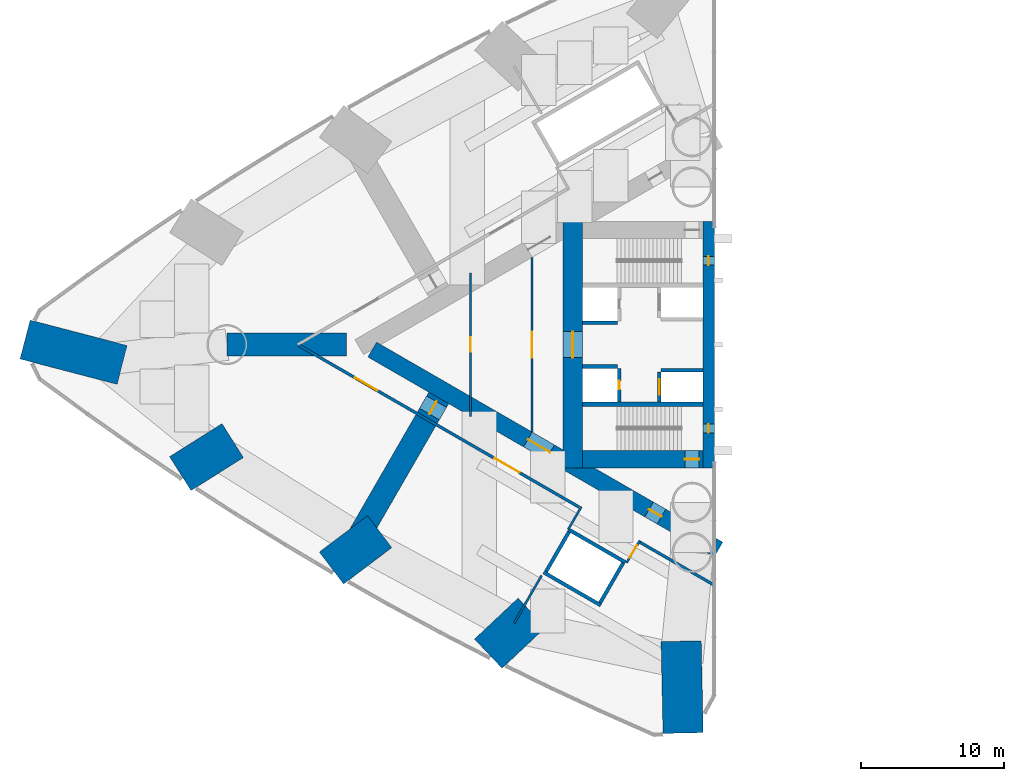
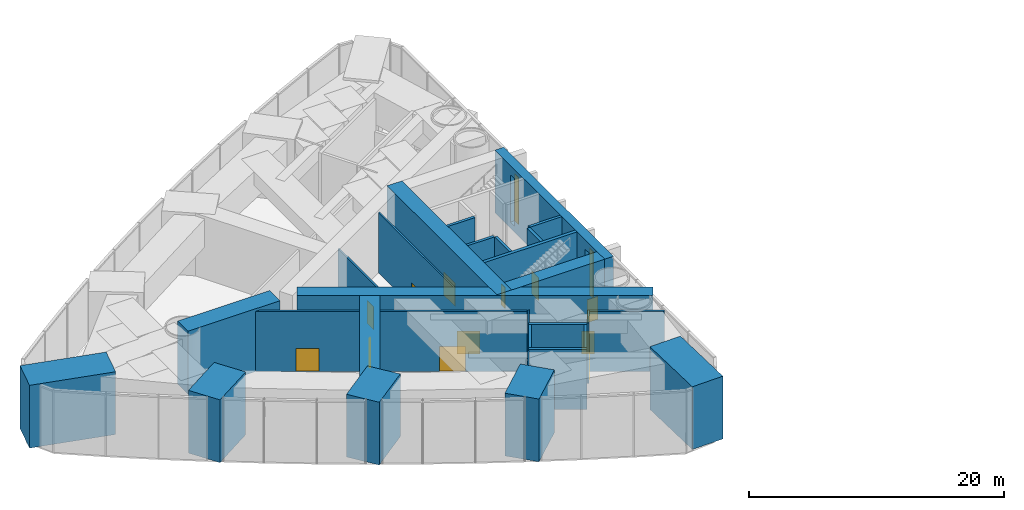
# One storey, part 13 of 18: 28 walls, 12 doors, 2 windows, 14 openings.
"""IFC4 building model written with IfcOpenShell, lengths in metres."""

from ifc_helpers import new_model, si_unit, direction, frame, frame_2d, origin, place, context, subcontext, project, spatial, rectangle, extrude, material, layer, layer_set, type_object, element, fill, save


model = new_model("IFC4")

# Units and contexts
model_context = context("Model", 3, precision=1e-05, world=origin(), true_north=direction((0.0, 1.0)))
body_context = subcontext(model_context, "Body", "Model", "MODEL_VIEW")
ifc_project = project(units=[si_unit("LENGTHUNIT", "METRE"), si_unit("AREAUNIT", "SQUARE_METRE"), si_unit("VOLUMEUNIT", "CUBIC_METRE"), si_unit("PLANEANGLEUNIT", "RADIAN"), si_unit("MASSUNIT", "GRAM", prefix="KILO")], contexts=[model_context])

# Site, building, storey
site_placement = place(None, origin())
site = spatial("IfcSite", under=ifc_project, at=site_placement, CompositionType="ELEMENT")
building_placement = place(site_placement, origin())
building = spatial("IfcBuilding", under=site, at=building_placement, Name="Lancet Gate Hotel", CompositionType="ELEMENT")
storey_placement = place(building_placement, frame((0.0, 0.0, 81.0)))
storey = spatial("IfcBuildingStorey", under=building, at=storey_placement, Name="L21", CompositionType="ELEMENT", Elevation=81.0)

# Wall, openings, doors
ifc_material_1 = material(Name="Concrete C70/85", Category="concrete")
ifc_layer_1 = layer(ifc_material_1, 1.199951171875)
ifc_layer_set_1 = layer_set([ifc_layer_1], Name="Buttress wall 1200")
wall_type_1 = type_object("IfcWallType", Name="Buttress wall 1200", PredefinedType="SHEAR", material=ifc_layer_set_1)
wall_1_placement = place(storey_placement, frame((-27.199951171875, -14.300048828125, 0.0), z_axis=(0.0, 0.0, 1.0), x_axis=(-0.866024021859, 0.500002393557, 0.0)))
wall_1 = element("IfcWall", 1, at=wall_1_placement, inside=storey, type_object=wall_type_1, Name="T1 buttress wall N L21", PredefinedType="SHEAR", context=body_context, shape_type="SweptSolid", body=[
    extrude(rectangle(XDim=27.906982421875, YDim=1.199951171875, at=frame_2d((13.95361328125, 0.0))), origin(), (0.0, 0.0, 1.0), 6.0),
])
opening_1_placement = place(wall_1_placement, frame((4.60009765625, 0.0, 0.0)))
opening_1 = element("IfcOpeningElement", 2, at=opening_1_placement, cuts=wall_1, Name="Opening T1-L21-LN", PredefinedType="OPENING", context=body_context, shape_type="SweptSolid", body=[
    extrude(rectangle(XDim=1.0, YDim=2.199951171875, at=frame_2d((0.5, 1.10009765625))), frame((0.0, 0.60986328125, 0.0), z_axis=(0.0, -1.0, 0.0), x_axis=(1.0, 0.0, 0.0)), (0.0, 0.0, 1.0), 1.219970703125),
])
opening_2_placement = place(wall_1_placement, frame((13.567626953125, 0.0, 0.0)))
opening_2 = element("IfcOpeningElement", 3, at=opening_2_placement, cuts=wall_1, Name="Opening T1-L21-LHN", PredefinedType="OPENING", context=body_context, shape_type="SweptSolid", body=[
    extrude(rectangle(XDim=1.800048828125, YDim=2.199951171875, at=frame_2d((0.89990234375, 1.10009765625))), frame((0.0, 0.60986328125, 0.0), z_axis=(0.0, -1.0, 0.0), x_axis=(1.0, 0.0, 0.0)), (0.0, 0.0, 1.0), 1.219970703125),
])
ifc_material_2 = material(Name="Timber door set", Category="wood")
door_type_1 = type_object("IfcDoorType", Name="Lobby double door 1800", OperationType="DOUBLE_DOOR_SINGLE_SWING", PredefinedType="DOOR", material=ifc_material_2)
door_1_placement = place(opening_2_placement, origin())
door_1 = element("IfcDoor", 4, at=door_1_placement, inside=storey, type_object=door_type_1, Name="T1-L21-LHN", OperationType="DOUBLE_DOOR_SINGLE_SWING", OverallHeight=2.199951171875, OverallWidth=1.800048828125, PredefinedType="DOOR", context=body_context, shape_type="SweptSolid", body=[
    extrude(rectangle(XDim=1.800048828125, YDim=2.199951171875, at=frame_2d((0.89990234375, 1.10009765625))), frame((0.0, 0.02490234375, 0.0), z_axis=(0.0, -1.0, 0.0), x_axis=(1.0, 0.0, 0.0)), (0.0, 0.0, 1.0), 0.050048828125),
])
fill(opening_2, door_1)
ifc_material_3 = material(Name="Timber door set", Category="wood")
door_type_2 = type_object("IfcDoorType", Name="Stair lobby door 1000", OperationType="SINGLE_SWING_LEFT", PredefinedType="DOOR", material=ifc_material_3)
door_2_placement = place(opening_1_placement, origin())
door_2 = element("IfcDoor", 5, at=door_2_placement, inside=storey, type_object=door_type_2, Name="T1-L21-LN", OperationType="SINGLE_SWING_LEFT", OverallHeight=2.199951171875, OverallWidth=1.0, PredefinedType="DOOR", context=body_context, shape_type="SweptSolid", body=[
    extrude(rectangle(XDim=1.0, YDim=2.199951171875, at=frame_2d((0.5, 1.10009765625))), frame((0.0, 0.02490234375, 0.0), z_axis=(0.0, -1.0, 0.0), x_axis=(1.0, 0.0, 0.0)), (0.0, 0.0, 1.0), 0.050048828125),
])
fill(opening_1, door_2)

# Wall, opening, door
ifc_material_4 = material(Name="Concrete C70/85", Category="concrete")
ifc_layer_2 = layer(ifc_material_4, 1.35009765625)
ifc_layer_set_2 = layer_set([ifc_layer_2], Name="Core back wall 1350, outrigger storeys")
wall_type_2 = type_object("IfcWallType", Name="Core back wall 1350, outrigger storeys", PredefinedType="SHEAR", material=ifc_layer_set_2)
wall_2_placement = place(storey_placement, frame((-37.375, 8.60009765625, 0.0), z_axis=(0.0, 0.0, 1.0), x_axis=(0.0, -1.0, 0.0)))
wall_2 = element("IfcWall", 6, at=wall_2_placement, inside=storey, type_object=wall_type_2, Name="T1 core wall back L21", PredefinedType="SHEAR", context=body_context, shape_type="SweptSolid", body=[
    extrude(rectangle(XDim=17.2001953125, YDim=1.35009765625, at=frame_2d((8.60009765625, 0.0))), origin(), (0.0, 0.0, 1.0), 6.0),
])
opening_3_placement = place(wall_2_placement, frame((7.699951171875, 0.0, 0.0)))
opening_3 = element("IfcOpeningElement", 7, at=opening_3_placement, cuts=wall_2, Name="Opening T1-L21-LL", PredefinedType="OPENING", context=body_context, shape_type="SweptSolid", body=[
    extrude(rectangle(XDim=1.800048828125, YDim=2.199951171875, at=frame_2d((0.89990234375, 1.10009765625))), frame((0.0, 0.68505859375, 0.0), z_axis=(0.0, -1.0, 0.0), x_axis=(1.0, 0.0, 0.0)), (0.0, 0.0, 1.0), 1.3701171875),
])
door_3_placement = place(opening_3_placement, origin())
door_3 = element("IfcDoor", 8, at=door_3_placement, inside=storey, type_object=door_type_1, Name="T1-L21-LL", OperationType="DOUBLE_DOOR_SINGLE_SWING", OverallHeight=2.199951171875, OverallWidth=1.800048828125, PredefinedType="DOOR", context=body_context, shape_type="SweptSolid", body=[
    extrude(rectangle(XDim=1.800048828125, YDim=2.199951171875, at=frame_2d((0.89990234375, 1.10009765625))), frame((0.0, 0.02490234375, 0.0), z_axis=(0.0, -1.0, 0.0), x_axis=(1.0, 0.0, 0.0)), (0.0, 0.0, 1.0), 0.050048828125),
])
fill(opening_3, door_3)

ifc_material_5 = material(Name="Concrete C70/85", Category="concrete")
ifc_layer_3 = layer(ifc_material_5, 1.199951171875)
ifc_layer_set_3 = layer_set([ifc_layer_3], Name="Core wall 1200")
wall_type_3 = type_object("IfcWallType", Name="Core wall 1200", PredefinedType="SHEAR", material=ifc_layer_set_3)
wall_3_placement = place(storey_placement, frame((-28.300048828125, -8.0, 0.0), z_axis=(0.0, 0.0, 1.0), x_axis=(-1.0, 0.0, 0.0)))
wall_3 = element("IfcWall", 9, at=wall_3_placement, inside=storey, type_object=wall_type_3, Name="T1 core wall side-N L21", PredefinedType="SHEAR", context=body_context, shape_type="SweptSolid", body=[
    extrude(rectangle(XDim=8.39990234375, YDim=1.199951171875, at=frame_2d((4.199951171875, 0.0))), origin(), (0.0, 0.0, 1.0), 6.0),
])
opening_4_placement = place(wall_3_placement, frame((0.25, 0.0, 0.0)))
opening_4 = element("IfcOpeningElement", 10, at=opening_4_placement, cuts=wall_3, Name="Opening T1-L21-ST2", PredefinedType="OPENING", context=body_context, shape_type="SweptSolid", body=[
    extrude(rectangle(XDim=1.0, YDim=2.199951171875, at=frame_2d((0.5, 1.10009765625))), frame((0.0, 0.60986328125, 0.0), z_axis=(0.0, -1.0, 0.0), x_axis=(1.0, 0.0, 0.0)), (0.0, 0.0, 1.0), 1.219970703125),
])
ifc_material_6 = material(Name="Timber door set", Category="wood")
door_type_3 = type_object("IfcDoorType", Name="Stair door 1000", OperationType="SINGLE_SWING_RIGHT", PredefinedType="DOOR", material=ifc_material_6)
door_4_placement = place(opening_4_placement, origin())
door_4 = element("IfcDoor", 11, at=door_4_placement, inside=storey, type_object=door_type_3, Name="T1-L21-ST2", OperationType="SINGLE_SWING_RIGHT", OverallHeight=2.199951171875, OverallWidth=1.0, PredefinedType="DOOR", context=body_context, shape_type="SweptSolid", body=[
    extrude(rectangle(XDim=1.0, YDim=2.199951171875, at=frame_2d((0.5, 1.10009765625))), frame((0.0, 0.02490234375, 0.0), z_axis=(0.0, -1.0, 0.0), x_axis=(1.0, 0.0, 0.0)), (0.0, 0.0, 1.0), 0.050048828125),
])
fill(opening_4, door_4)

# Wall, openings, windows
ifc_material_7 = material(Name="Concrete C70/85", Category="concrete")
ifc_layer_4 = layer(ifc_material_7, 0.800048828125)
ifc_layer_set_4 = layer_set([ifc_layer_4], Name="Core wall 800")
wall_type_4 = type_object("IfcWallType", Name="Core wall 800", PredefinedType="SHEAR", material=ifc_layer_set_4)
wall_4_placement = place(storey_placement, frame((-27.89990234375, 8.60009765625, 0.0), z_axis=(0.0, 0.0, 1.0), x_axis=(0.0, -1.0, 0.0)))
wall_4 = element("IfcWall", 12, at=wall_4_placement, inside=storey, type_object=wall_type_4, Name="T1 core wall front L21", PredefinedType="SHEAR", context=body_context, shape_type="SweptSolid", body=[
    extrude(rectangle(XDim=17.2001953125, YDim=0.800048828125, at=frame_2d((8.60009765625, 0.0))), origin(), (0.0, 0.0, 1.0), 6.0),
])
opening_5_placement = place(wall_4_placement, frame((2.449951171875, 0.0, 0.60009765625)))
opening_5 = element("IfcOpeningElement", 13, at=opening_5_placement, cuts=wall_4, Name="Opening LW3", PredefinedType="OPENING", context=body_context, shape_type="SweptSolid", body=[
    extrude(rectangle(XDim=0.60009765625, YDim=4.5, at=frame_2d((0.300048828125, 2.25))), frame((0.0, 0.409912109375, 0.0), z_axis=(0.0, -1.0, 0.0), x_axis=(1.0, 0.0, 0.0)), (0.0, 0.0, 1.0), 0.820068359375),
])
opening_6_placement = place(wall_4_placement, frame((14.14990234375, 0.0, 0.60009765625)))
opening_6 = element("IfcOpeningElement", 14, at=opening_6_placement, cuts=wall_4, Name="Opening LW3", PredefinedType="OPENING", context=body_context, shape_type="SweptSolid", body=[
    extrude(rectangle(XDim=0.60009765625, YDim=4.5, at=frame_2d((0.300048828125, 2.25))), frame((0.0, 0.409912109375, 0.0), z_axis=(0.0, -1.0, 0.0), x_axis=(1.0, 0.0, 0.0)), (0.0, 0.0, 1.0), 0.820068359375),
])
ifc_material_8 = material(Name="Fire-resisting glazed steel window", Category="steel")
window_type = type_object("IfcWindowType", Name="Lancet window 600x4500", PartitioningType="SINGLE_PANEL", PredefinedType="WINDOW", material=ifc_material_8)
window_1_placement = place(opening_5_placement, origin())
window_1 = element("IfcWindow", 15, at=window_1_placement, inside=storey, type_object=window_type, Name="T1 stair window S L21", OverallHeight=4.5, OverallWidth=0.60009765625, PartitioningType="SINGLE_PANEL", PredefinedType="WINDOW", context=body_context, shape_type="SweptSolid", body=[
    extrude(rectangle(XDim=0.60009765625, YDim=4.5, at=frame_2d((0.300048828125, 2.25))), frame((0.0, 0.030029296875, 0.0), z_axis=(0.0, -1.0, 0.0), x_axis=(1.0, 0.0, 0.0)), (0.0, 0.0, 1.0), 0.06005859375),
])
fill(opening_5, window_1)
window_2_placement = place(opening_6_placement, origin())
window_2 = element("IfcWindow", 16, at=window_2_placement, inside=storey, type_object=window_type, Name="T1 stair window N L21", OverallHeight=4.5, OverallWidth=0.60009765625, PartitioningType="SINGLE_PANEL", PredefinedType="WINDOW", context=body_context, shape_type="SweptSolid", body=[
    extrude(rectangle(XDim=0.60009765625, YDim=4.5, at=frame_2d((0.300048828125, 2.25))), frame((0.0, 0.030029296875, 0.0), z_axis=(0.0, -1.0, 0.0), x_axis=(1.0, 0.0, 0.0)), (0.0, 0.0, 1.0), 0.06005859375),
])
fill(opening_6, window_2)

# Wall
ifc_material_9 = material(Name="Gypsum board partition")
ifc_layer_5 = layer(ifc_material_9, 0.199951171875)
ifc_layer_set_5 = layer_set([ifc_layer_5], Name="Corridor wall 200")
wall_type_5 = type_object("IfcWallType", Name="Corridor wall 200", PredefinedType="PARTITIONING", material=ifc_layer_set_5)
wall_5_placement = place(storey_placement, frame((-27.572021484375, -16.740966796875, 0.0), z_axis=(0.0, 0.0, 1.0), x_axis=(-0.866024464444, 0.500001626982, 0.0)))
element("IfcWall", 17, at=wall_5_placement, inside=storey, type_object=wall_type_5, Name="T1 corridor wall 200 L21", PredefinedType="PARTITIONING", context=body_context, shape_type="SweptSolid", body=[
    extrude(rectangle(XDim=5.955078125, YDim=0.199951171875, at=frame_2d((2.9775390625, 0.0))), origin(), (0.0, 0.0, 1.0), 5.75),
])

# Wall, openings, doors
wall_6_placement = place(storey_placement, frame((-36.920166015625, -11.34375, 0.0), z_axis=(0.0, 0.0, 1.0), x_axis=(-0.866028313256, 0.499994960614, 0.0)))
wall_6 = element("IfcWall", 18, at=wall_6_placement, inside=storey, type_object=wall_type_5, Name="T1 corridor wall 200 L21", PredefinedType="PARTITIONING", context=body_context, shape_type="SweptSolid", body=[
    extrude(rectangle(XDim=22.567626953125, YDim=0.199951171875, at=frame_2d((11.28369140625, 0.0))), origin(), (0.0, 0.0, 1.0), 5.75),
])
opening_7_placement = place(wall_6_placement, frame((16.26953125, 0.0, 0.0)))
opening_7 = element("IfcOpeningElement", 19, at=opening_7_placement, cuts=wall_6, Name="Opening T1-L21-RA06", PredefinedType="OPENING", context=body_context, shape_type="SweptSolid", body=[
    extrude(rectangle(XDim=1.800048828125, YDim=2.199951171875, at=frame_2d((0.89990234375, 1.10009765625))), frame((0.0, 0.10986328125, 0.0), z_axis=(0.0, -1.0, 0.0), x_axis=(1.0, 0.0, 0.0)), (0.0, 0.0, 1.0), 0.219970703125),
])
opening_8_placement = place(wall_6_placement, frame((4.826416015625, 0.0, 0.0)))
opening_8 = element("IfcOpeningElement", 20, at=opening_8_placement, cuts=wall_6, Name="Opening T1-L21-RA07", PredefinedType="OPENING", context=body_context, shape_type="SweptSolid", body=[
    extrude(rectangle(XDim=2.0, YDim=2.39990234375, at=frame_2d((1.0, 1.199951171875))), frame((0.0, 0.10986328125, 0.0), z_axis=(0.0, -1.0, 0.0), x_axis=(1.0, 0.0, 0.0)), (0.0, 0.0, 1.0), 0.219970703125),
])
ifc_material_10 = material(Name="Timber door set", Category="wood")
door_type_4 = type_object("IfcDoorType", Name="Double door 1800", OperationType="DOUBLE_DOOR_SINGLE_SWING", PredefinedType="DOOR", material=ifc_material_10)
door_5_placement = place(opening_7_placement, origin())
door_5 = element("IfcDoor", 21, at=door_5_placement, inside=storey, type_object=door_type_4, Name="T1-L21-RA06", OperationType="DOUBLE_DOOR_SINGLE_SWING", OverallHeight=2.199951171875, OverallWidth=1.800048828125, PredefinedType="DOOR", context=body_context, shape_type="SweptSolid", body=[
    extrude(rectangle(XDim=1.800048828125, YDim=2.199951171875, at=frame_2d((0.89990234375, 1.10009765625))), frame((0.0, 0.02490234375, 0.0), z_axis=(0.0, -1.0, 0.0), x_axis=(1.0, 0.0, 0.0)), (0.0, 0.0, 1.0), 0.050048828125),
])
fill(opening_7, door_5)
ifc_material_11 = material(Name="Timber door set", Category="wood")
door_type_5 = type_object("IfcDoorType", Name="Plant room double door 2000", OperationType="DOUBLE_DOOR_SINGLE_SWING", PredefinedType="DOOR", material=ifc_material_11)
door_6_placement = place(opening_8_placement, origin())
door_6 = element("IfcDoor", 22, at=door_6_placement, inside=storey, type_object=door_type_5, Name="T1-L21-RA07", OperationType="DOUBLE_DOOR_SINGLE_SWING", OverallHeight=2.39990234375, OverallWidth=2.0, PredefinedType="DOOR", context=body_context, shape_type="SweptSolid", body=[
    extrude(rectangle(XDim=2.0, YDim=2.39990234375, at=frame_2d((1.0, 1.199951171875))), frame((0.0, 0.02490234375, 0.0), z_axis=(0.0, -1.0, 0.0), x_axis=(1.0, 0.0, 0.0)), (0.0, 0.0, 1.0), 0.050048828125),
])
fill(opening_8, door_6)

# Walls
ifc_material_12 = material(Name="Gypsum board partition")
ifc_layer_6 = layer(ifc_material_12, 0.25)
ifc_layer_set_6 = layer_set([ifc_layer_6], Name="Lift shaft partition 250")
wall_type_6 = type_object("IfcWallType", Name="Lift shaft partition 250", PredefinedType="PARTITIONING", material=ifc_layer_set_6)
wall_7_placement = place(storey_placement, frame((-33.695556640625, -15.197265625, 0.0), z_axis=(0.0, 0.0, 1.0), x_axis=(-0.865976953817, 0.500083908417, 0.0)))
element("IfcWall", 23, at=wall_7_placement, inside=storey, type_object=wall_type_6, Name="T1 lift shaft wall EX L21", PredefinedType="PARTITIONING", context=body_context, shape_type="SweptSolid", body=[
    extrude(rectangle(XDim=4.599365234375, YDim=0.25, at=frame_2d((2.2998046875, 0.0))), origin(), (0.0, 0.0, 1.0), 5.75),
])
wall_8_placement = place(storey_placement, frame((-35.42041015625, -18.185791015625, 0.0), z_axis=(0.0, 0.0, 1.0), x_axis=(-0.865990227814, 0.50006092162, 0.0)))
element("IfcWall", 24, at=wall_8_placement, inside=storey, type_object=wall_type_6, Name="T1 lift shaft wall EX L21", PredefinedType="PARTITIONING", context=body_context, shape_type="SweptSolid", body=[
    extrude(rectangle(XDim=4.599609375, YDim=0.25, at=frame_2d((2.2998046875, 0.0))), origin(), (0.0, 0.0, 1.0), 5.75),
])
wall_9_placement = place(storey_placement, frame((-33.8662109375, -15.242919921875, 0.0), z_axis=(0.0, 0.0, 1.0), x_axis=(-0.499929347863, -0.866066190972, 0.0)))
element("IfcWall", 25, at=wall_9_placement, inside=storey, type_object=wall_type_6, Name="T1 lift shaft wall EX L21", PredefinedType="PARTITIONING", context=body_context, shape_type="SweptSolid", body=[
    extrude(rectangle(XDim=3.20068359375, YDim=0.25, at=frame_2d((1.600341796875, 0.0))), origin(), (0.0, 0.0, 1.0), 5.75),
])
wall_10_placement = place(storey_placement, frame((-37.6328125, -13.068115234375, 0.0), z_axis=(0.0, 0.0, 1.0), x_axis=(-0.499872130319, -0.866099216793, 0.0)))
element("IfcWall", 26, at=wall_10_placement, inside=storey, type_object=wall_type_6, Name="T1 lift shaft wall EX L21", PredefinedType="PARTITIONING", context=body_context, shape_type="SweptSolid", body=[
    extrude(rectangle(XDim=3.200439453125, YDim=0.25, at=frame_2d((1.60009765625, 0.0))), origin(), (0.0, 0.0, 1.0), 5.75),
])
ifc_material_13 = material(Name="Concrete C50/60", Category="concrete")
ifc_layer_7 = layer(ifc_material_13, 0.25)
ifc_layer_set_7 = layer_set([ifc_layer_7], Name="Lift shaft wall 250")
wall_type_7 = type_object("IfcWallType", Name="Lift shaft wall 250", PredefinedType="SHEAR", material=ifc_layer_set_7)
wall_11_placement = place(storey_placement, frame((-34.25, 1.52490234375, 0.0), z_axis=(0.0, 0.0, 1.0), x_axis=(-1.0, 0.0, 0.0)))
element("IfcWall", 27, at=wall_11_placement, inside=storey, type_object=wall_type_7, Name="T1 core wall pass2-S L21", PredefinedType="SHEAR", context=body_context, shape_type="SweptSolid", body=[
    extrude(rectangle(XDim=2.449951171875, YDim=0.25, at=frame_2d((1.22509765625, 0.0))), origin(), (0.0, 0.0, 1.0), 6.0),
])

# Wall, opening, door
wall_12_placement = place(storey_placement, frame((-31.324951171875, -1.89990234375, 0.0), z_axis=(0.0, 0.0, 1.0), x_axis=(0.0, -1.0, 0.0)))
wall_12 = element("IfcWall", 28, at=wall_12_placement, inside=storey, type_object=wall_type_7, Name="T1 core wall row1-N L21", PredefinedType="SHEAR", context=body_context, shape_type="SweptSolid", body=[
    extrude(rectangle(XDim=2.10009765625, YDim=0.25, at=frame_2d((1.050048828125, 0.0))), origin(), (0.0, 0.0, 1.0), 6.0),
])
opening_9_placement = place(wall_12_placement, frame((0.5, 0.0, 0.0)))
opening_9 = element("IfcOpeningElement", 29, at=opening_9_placement, cuts=wall_12, Name="Opening T1-FL2-L21", PredefinedType="OPENING", context=body_context, shape_type="SweptSolid", body=[
    extrude(rectangle(XDim=1.10009765625, YDim=2.199951171875, at=frame_2d((0.550048828125, 1.10009765625))), frame((0.0, 0.135009765625, 0.0), z_axis=(0.0, -1.0, 0.0), x_axis=(1.0, 0.0, 0.0)), (0.0, 0.0, 1.0), 0.27001953125),
])
ifc_material_14 = material(Name="Steel door set", Category="steel")
door_type_6 = type_object("IfcDoorType", Name="Firefighting lift landing door 1100", OperationType="SLIDING_TO_LEFT", PredefinedType="USERDEFINED", material=ifc_material_14)
door_7_placement = place(opening_9_placement, origin())
door_7 = element("IfcDoor", 30, at=door_7_placement, inside=storey, type_object=door_type_6, Name="T1-FL2-L21", ObjectType="LIFT LANDING DOOR", OperationType="SLIDING_TO_LEFT", OverallHeight=2.199951171875, OverallWidth=1.10009765625, PredefinedType="USERDEFINED", context=body_context, shape_type="SweptSolid", body=[
    extrude(rectangle(XDim=1.10009765625, YDim=2.199951171875, at=frame_2d((0.550048828125, 1.10009765625))), frame((0.0, 0.02490234375, 0.0), z_axis=(0.0, -1.0, 0.0), x_axis=(1.0, 0.0, 0.0)), (0.0, 0.0, 1.0), 0.050048828125),
])
fill(opening_9, door_7)

wall_13_placement = place(storey_placement, frame((-34.125, -1.64990234375, 0.0), z_axis=(0.0, 0.0, 1.0), x_axis=(0.0, -1.0, 0.0)))
wall_13 = element("IfcWall", 31, at=wall_13_placement, inside=storey, type_object=wall_type_7, Name="T1 core wall row2-N L21", PredefinedType="SHEAR", context=body_context, shape_type="SweptSolid", body=[
    extrude(rectangle(XDim=2.35009765625, YDim=0.25, at=frame_2d((1.175048828125, 0.0))), origin(), (0.0, 0.0, 1.0), 6.0),
])
opening_10_placement = place(wall_13_placement, frame((0.875, 0.0, 0.0)))
opening_10 = element("IfcOpeningElement", 32, at=opening_10_placement, cuts=wall_13, Name="Opening T1-OL4-L21-E", PredefinedType="OPENING", context=body_context, shape_type="SweptSolid", body=[
    extrude(rectangle(XDim=0.60009765625, YDim=2.0, at=frame_2d((0.300048828125, 1.0))), frame((0.0, 0.135009765625, 0.0), z_axis=(0.0, -1.0, 0.0), x_axis=(1.0, 0.0, 0.0)), (0.0, 0.0, 1.0), 0.27001953125),
])
ifc_material_15 = material(Name="Steel door set", Category="steel")
door_type_7 = type_object("IfcDoorType", Name="Lift shaft emergency door 600x2000", OperationType="SLIDING_TO_LEFT", PredefinedType="DOOR", material=ifc_material_15)
door_8_placement = place(opening_10_placement, origin())
door_8 = element("IfcDoor", 33, at=door_8_placement, inside=storey, type_object=door_type_7, Name="T1-OL4-L21-E", OperationType="SLIDING_TO_LEFT", OverallHeight=2.0, OverallWidth=0.60009765625, PredefinedType="DOOR", context=body_context, shape_type="SweptSolid", body=[
    extrude(rectangle(XDim=0.60009765625, YDim=2.0, at=frame_2d((0.300048828125, 1.0))), frame((0.0, 0.02490234375, 0.0), z_axis=(0.0, -1.0, 0.0), x_axis=(1.0, 0.0, 0.0)), (0.0, 0.0, 1.0), 0.050048828125),
])
fill(opening_10, door_8)

# Walls
wall_14_placement = place(storey_placement, frame((-28.300048828125, -1.77490234375, 0.0), z_axis=(0.0, 0.0, 1.0), x_axis=(-1.0, 0.0, 0.0)))
element("IfcWall", 34, at=wall_14_placement, inside=storey, type_object=wall_type_7, Name="T1 core wall pass1-N L21", PredefinedType="SHEAR", context=body_context, shape_type="SweptSolid", body=[
    extrude(rectangle(XDim=2.89990234375, YDim=0.25, at=frame_2d((1.449951171875, 0.0))), origin(), (0.0, 0.0, 1.0), 6.0),
])
wall_15_placement = place(storey_placement, frame((-34.25, -1.52490234375, 0.0), z_axis=(0.0, 0.0, 1.0), x_axis=(-1.0, 0.0, 0.0)))
element("IfcWall", 35, at=wall_15_placement, inside=storey, type_object=wall_type_7, Name="T1 core wall pass2-N L21", PredefinedType="SHEAR", context=body_context, shape_type="SweptSolid", body=[
    extrude(rectangle(XDim=2.449951171875, YDim=0.25, at=frame_2d((1.22509765625, 0.0))), origin(), (0.0, 0.0, 1.0), 6.0),
])
ifc_material_16 = material(Name="Concrete C80/95", Category="concrete")
ifc_layer_8 = layer(ifc_material_16, 1.60009765625)
ifc_layer_set_8 = layer_set([ifc_layer_8], Name="Outrigger wall 1600")
wall_type_8 = type_object("IfcWallType", Name="Outrigger wall 1600", PredefinedType="SHEAR", material=ifc_layer_set_8)
wall_16_placement = place(storey_placement, frame((-53.168212890625, 0.0, 0.0), z_axis=(0.0, 0.0, 1.0), x_axis=(-1.0, 0.0, 0.0)))
element("IfcWall", 36, at=wall_16_placement, inside=storey, type_object=wall_type_8, Name="T1 outrigger wall CA L21", PredefinedType="SHEAR", context=body_context, shape_type="SweptSolid", body=[
    extrude(rectangle(XDim=8.331787109375, YDim=1.60009765625, at=frame_2d((4.166015625, 0.0))), origin(), (0.0, 0.0, 1.0), 6.0),
])

# Wall, opening, door
wall_17_placement = place(storey_placement, frame((-46.724853515625, -3.719970703125, 0.0), z_axis=(0.0, 0.0, 1.0), x_axis=(-0.500000237956, -0.866025266401, 0.0)))
wall_17 = element("IfcWall", 37, at=wall_17_placement, inside=storey, type_object=wall_type_8, Name="T1 outrigger wall ON2 L21", PredefinedType="SHEAR", context=body_context, shape_type="SweptSolid", body=[
    extrude(rectangle(XDim=12.73046875, YDim=1.60009765625, at=frame_2d((6.365234375, 0.0))), origin(), (0.0, 0.0, 1.0), 6.0),
])
opening_11_placement = place(wall_17_placement, frame((0.300048828125, 0.0, 0.0)))
opening_11 = element("IfcOpeningElement", 38, at=opening_11_placement, cuts=wall_17, Name="Opening T1-L21-LNO", PredefinedType="OPENING", context=body_context, shape_type="SweptSolid", body=[
    extrude(rectangle(XDim=1.0, YDim=2.199951171875, at=frame_2d((0.5, 1.10009765625))), frame((0.0, 0.81005859375, 0.0), z_axis=(0.0, -1.0, 0.0), x_axis=(1.0, 0.0, 0.0)), (0.0, 0.0, 1.0), 1.6201171875),
])
ifc_material_17 = material(Name="Timber door set", Category="wood")
door_type_8 = type_object("IfcDoorType", Name="Corridor door 1000", OperationType="SINGLE_SWING_LEFT", PredefinedType="DOOR", material=ifc_material_17)
door_9_placement = place(opening_11_placement, origin())
door_9 = element("IfcDoor", 39, at=door_9_placement, inside=storey, type_object=door_type_8, Name="T1-L21-LNO", OperationType="SINGLE_SWING_LEFT", OverallHeight=2.199951171875, OverallWidth=1.0, PredefinedType="DOOR", context=body_context, shape_type="SweptSolid", body=[
    extrude(rectangle(XDim=1.0, YDim=2.199951171875, at=frame_2d((0.5, 1.10009765625))), frame((0.0, 0.02490234375, 0.0), z_axis=(0.0, -1.0, 0.0), x_axis=(1.0, 0.0, 0.0)), (0.0, 0.0, 1.0), 0.050048828125),
])
fill(opening_11, door_9)

# Walls
ifc_material_18 = material(Name="Gypsum board partition")
ifc_layer_9 = layer(ifc_material_18, 0.14990234375)
ifc_layer_set_9 = layer_set([ifc_layer_9], Name="Party wall 150")
wall_type_9 = type_object("IfcWallType", Name="Party wall 150", PredefinedType="PARTITIONING", material=ifc_layer_set_9)
wall_18_placement = place(storey_placement, frame((-39.55078125, -16.118408203125, 0.0), z_axis=(0.0, 0.0, 1.0), x_axis=(-0.499986503906, -0.866033195618, 0.0)))
element("IfcWall", 40, at=wall_18_placement, inside=storey, type_object=wall_type_9, Name="T1 party wall 150 L21", PredefinedType="PARTITIONING", context=body_context, shape_type="SweptSolid", body=[
    extrude(rectangle(XDim=3.81494140625, YDim=0.14990234375, at=frame_2d((1.907470703125, 0.0))), origin(), (0.0, 0.0, 1.0), 5.75),
])
ifc_material_19 = material(Name="Concrete C80/95", Category="concrete")
ifc_layer_10 = layer(ifc_material_19, 2.800048828125)
ifc_layer_set_10 = layer_set([ifc_layer_10], Name="Radial transfer wall 2800")
wall_type_10 = type_object("IfcWallType", Name="Radial transfer wall 2800", PredefinedType="SHEAR", material=ifc_layer_set_10)
wall_19_placement = place(storey_placement, frame((-75.58984375, 0.35302734375, 0.0), z_axis=(0.0, 0.0, 1.0), x_axis=(0.967676481034, -0.252194821623, 0.0)))
element("IfcWall", 41, at=wall_19_placement, inside=storey, type_object=wall_type_10, Name="T1 radial transfer wall CA L21", PredefinedType="SHEAR", context=body_context, shape_type="SweptSolid", body=[
    extrude(rectangle(XDim=7.0029296875, YDim=2.800048828125, at=frame_2d((3.50146484375, 0.0))), origin(), (0.0, 0.0, 1.0), 6.0),
])
wall_20_placement = place(storey_placement, frame((-29.673095703125, -27.102294921875, 0.0), z_axis=(0.0, 0.0, 1.0), x_axis=(-0.0215618204, 0.999767516926, 0.0)))
element("IfcWall", 42, at=wall_20_placement, inside=storey, type_object=wall_type_10, Name="T1 radial transfer wall CN L21", PredefinedType="SHEAR", context=body_context, shape_type="SweptSolid", body=[
    extrude(rectangle(XDim=6.40869140625, YDim=2.800048828125, at=frame_2d((3.204345703125, 0.0))), origin(), (0.0, 0.0, 1.0), 6.0),
])
wall_21_placement = place(storey_placement, frame((-64.756103515625, -9.001953125, 0.0), z_axis=(0.0, 0.0, 1.0), x_axis=(0.845851319887, 0.533418732934, 0.0)))
element("IfcWall", 43, at=wall_21_placement, inside=storey, type_object=wall_type_10, Name="T1 radial transfer wall ON1 L21", PredefinedType="SHEAR", context=body_context, shape_type="SweptSolid", body=[
    extrude(rectangle(XDim=4.319580078125, YDim=2.800048828125, at=frame_2d((2.15966796875, 0.0))), origin(), (0.0, 0.0, 1.0), 6.0),
])
wall_22_placement = place(storey_placement, frame((-54.2080078125, -15.587890625, 0.0), z_axis=(0.0, 0.0, 1.0), x_axis=(0.798432065831, 0.602084907843, 0.0)))
element("IfcWall", 44, at=wall_22_placement, inside=storey, type_object=wall_type_10, Name="T1 radial transfer wall ON2 L21", PredefinedType="SHEAR", context=body_context, shape_type="SweptSolid", body=[
    extrude(rectangle(XDim=4.21142578125, YDim=2.800048828125, at=frame_2d((2.105712890625, 0.0))), origin(), (0.0, 0.0, 1.0), 6.0),
])
wall_23_placement = place(storey_placement, frame((-43.2646484375, -21.567138671875, 0.0), z_axis=(0.0, 0.0, 1.0), x_axis=(0.728105540353, 0.685465040762, 0.0)))
element("IfcWall", 45, at=wall_23_placement, inside=storey, type_object=wall_type_10, Name="T1 radial transfer wall ON3 L21", PredefinedType="SHEAR", context=body_context, shape_type="SweptSolid", body=[
    extrude(rectangle(XDim=4.173828125, YDim=2.800048828125, at=frame_2d((2.0869140625, 0.0))), origin(), (0.0, 0.0, 1.0), 6.0),
])
ifc_material_20 = material(Name="Gypsum board partition")
ifc_layer_11 = layer(ifc_material_20, 0.14990234375)
ifc_layer_set_11 = layer_set([ifc_layer_11], Name="Service room wall 150")
wall_type_11 = type_object("IfcWallType", Name="Service room wall 150", PredefinedType="PARTITIONING", material=ifc_layer_set_11)
wall_24_placement = place(storey_placement, frame((-36.775634765625, -11.311767578125, 0.0), z_axis=(0.0, 0.0, 1.0), x_axis=(-0.500038651731, -0.866003087047, 0.0)))
element("IfcWall", 46, at=wall_24_placement, inside=storey, type_object=wall_type_11, Name="T1 service room wall 150 L21", PredefinedType="PARTITIONING", context=body_context, shape_type="SweptSolid", body=[
    extrude(rectangle(XDim=1.804443359375, YDim=0.14990234375, at=frame_2d((0.90234375, 0.0))), origin(), (0.0, 0.0, 1.0), 5.75),
])

# Wall, opening, door
wall_25_placement = place(storey_placement, frame((-33.62060546875, -15.217529296875, 0.0), z_axis=(0.0, 0.0, 1.0), x_axis=(0.514336634837, 0.857588377991, 0.0)))
wall_25 = element("IfcWall", 47, at=wall_25_placement, inside=storey, type_object=wall_type_11, Name="T1 service room wall 150 L21", PredefinedType="PARTITIONING", context=body_context, shape_type="SweptSolid", body=[
    extrude(rectangle(XDim=1.80517578125, YDim=0.14990234375, at=frame_2d((0.902587890625, 0.0))), origin(), (0.0, 0.0, 1.0), 5.75),
])
opening_12_placement = place(wall_25_placement, frame((0.402587890625, 0.0, 0.0)))
opening_12 = element("IfcOpeningElement", 48, at=opening_12_placement, cuts=wall_25, Name="Opening T1-L21-RA08", PredefinedType="OPENING", context=body_context, shape_type="SweptSolid", body=[
    extrude(rectangle(XDim=1.0, YDim=2.199951171875, at=frame_2d((0.5, 1.10009765625))), frame((0.0, 0.0849609375, 0.0), z_axis=(0.0, -1.0, 0.0), x_axis=(1.0, 0.0, 0.0)), (0.0, 0.0, 1.0), 0.169921875),
])
ifc_material_21 = material(Name="Timber door set", Category="wood")
door_type_9 = type_object("IfcDoorType", Name="Service door 1000", OperationType="SINGLE_SWING_LEFT", PredefinedType="DOOR", material=ifc_material_21)
door_10_placement = place(opening_12_placement, origin())
door_10 = element("IfcDoor", 49, at=door_10_placement, inside=storey, type_object=door_type_9, Name="T1-L21-RA08", OperationType="SINGLE_SWING_LEFT", OverallHeight=2.199951171875, OverallWidth=1.0, PredefinedType="DOOR", context=body_context, shape_type="SweptSolid", body=[
    extrude(rectangle(XDim=1.0, YDim=2.199951171875, at=frame_2d((0.5, 1.10009765625))), frame((0.0, 0.02490234375, 0.0), z_axis=(0.0, -1.0, 0.0), x_axis=(1.0, 0.0, 0.0)), (0.0, 0.0, 1.0), 0.050048828125),
])
fill(opening_12, door_10)

wall_26_placement = place(storey_placement, frame((-40.22509765625, 6.087158203125, 0.0), z_axis=(0.0, 0.0, 1.0), x_axis=(0.0, -1.0, 0.0)))
wall_26 = element("IfcWall", 50, at=wall_26_placement, inside=storey, type_object=wall_type_11, Name="T1 service room wall 150 L21", PredefinedType="PARTITIONING", context=body_context, shape_type="SweptSolid", body=[
    extrude(rectangle(XDim=12.17431640625, YDim=0.14990234375, at=frame_2d((6.087158203125, 0.0))), origin(), (0.0, 0.0, 1.0), 5.75),
])
opening_13_placement = place(wall_26_placement, frame((5.187255859375, 0.0, 0.0)))
opening_13 = element("IfcOpeningElement", 51, at=opening_13_placement, cuts=wall_26, Name="Opening T1-L21-LH", PredefinedType="OPENING", context=body_context, shape_type="SweptSolid", body=[
    extrude(rectangle(XDim=1.800048828125, YDim=2.199951171875, at=frame_2d((0.89990234375, 1.10009765625))), frame((0.0, 0.0849609375, 0.0), z_axis=(0.0, -1.0, 0.0), x_axis=(1.0, 0.0, 0.0)), (0.0, 0.0, 1.0), 0.169921875),
])
door_11_placement = place(opening_13_placement, origin())
door_11 = element("IfcDoor", 52, at=door_11_placement, inside=storey, type_object=door_type_1, Name="T1-L21-LH", OperationType="DOUBLE_DOOR_SINGLE_SWING", OverallHeight=2.199951171875, OverallWidth=1.800048828125, PredefinedType="DOOR", context=body_context, shape_type="SweptSolid", body=[
    extrude(rectangle(XDim=1.800048828125, YDim=2.199951171875, at=frame_2d((0.89990234375, 1.10009765625))), frame((0.0, 0.02490234375, 0.0), z_axis=(0.0, -1.0, 0.0), x_axis=(1.0, 0.0, 0.0)), (0.0, 0.0, 1.0), 0.050048828125),
])
fill(opening_13, door_11)

wall_27_placement = place(storey_placement, frame((-44.5, 5.004638671875, 0.0), z_axis=(0.0, 0.0, 1.0), x_axis=(0.0, -1.0, 0.0)))
wall_27 = element("IfcWall", 53, at=wall_27_placement, inside=storey, type_object=wall_type_11, Name="T1 service room wall 150 L21", PredefinedType="PARTITIONING", context=body_context, shape_type="SweptSolid", body=[
    extrude(rectangle(XDim=10.00927734375, YDim=0.14990234375, at=frame_2d((5.004638671875, 0.0))), origin(), (0.0, 0.0, 1.0), 4.449951171875),
])
opening_14_placement = place(wall_27_placement, frame((4.504638671875, 0.0, 0.0)))
opening_14 = element("IfcOpeningElement", 54, at=opening_14_placement, cuts=wall_27, Name="Opening T1-L21-SV", PredefinedType="OPENING", context=body_context, shape_type="SweptSolid", body=[
    extrude(rectangle(XDim=1.0, YDim=2.199951171875, at=frame_2d((0.5, 1.10009765625))), frame((0.0, 0.0849609375, 0.0), z_axis=(0.0, -1.0, 0.0), x_axis=(1.0, 0.0, 0.0)), (0.0, 0.0, 1.0), 0.169921875),
])
door_12_placement = place(opening_14_placement, origin())
door_12 = element("IfcDoor", 55, at=door_12_placement, inside=storey, type_object=door_type_9, Name="T1-L21-SV", OperationType="SINGLE_SWING_LEFT", OverallHeight=2.199951171875, OverallWidth=1.0, PredefinedType="DOOR", context=body_context, shape_type="SweptSolid", body=[
    extrude(rectangle(XDim=1.0, YDim=2.199951171875, at=frame_2d((0.5, 1.10009765625))), frame((0.0, 0.02490234375, 0.0), z_axis=(0.0, -1.0, 0.0), x_axis=(1.0, 0.0, 0.0)), (0.0, 0.0, 1.0), 0.050048828125),
])
fill(opening_14, door_12)

# Wall
ifc_material_22 = material(Name="Concrete C50/60", Category="concrete")
ifc_layer_12 = layer(ifc_material_22, 0.300048828125)
ifc_layer_set_12 = layer_set([ifc_layer_12], Name="Stair enclosure wall 300")
wall_type_12 = type_object("IfcWallType", Name="Stair enclosure wall 300", PredefinedType="SHEAR", material=ifc_layer_set_12)
wall_28_placement = place(storey_placement, frame((-28.300048828125, -4.14990234375, 0.0), z_axis=(0.0, 0.0, 1.0), x_axis=(-1.0, 0.0, 0.0)))
element("IfcWall", 56, at=wall_28_placement, inside=storey, type_object=wall_type_12, Name="T1 core wall stair-N L21", PredefinedType="SHEAR", context=body_context, shape_type="SweptSolid", body=[
    extrude(rectangle(XDim=8.39990234375, YDim=0.300048828125, at=frame_2d((4.199951171875, 0.0))), origin(), (0.0, 0.0, 1.0), 6.0),
])

save(model, "model.ifc")
